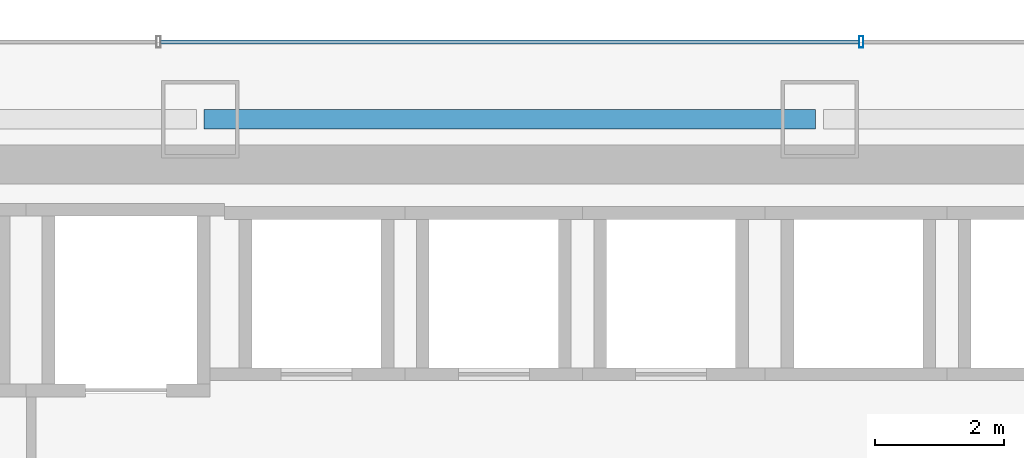
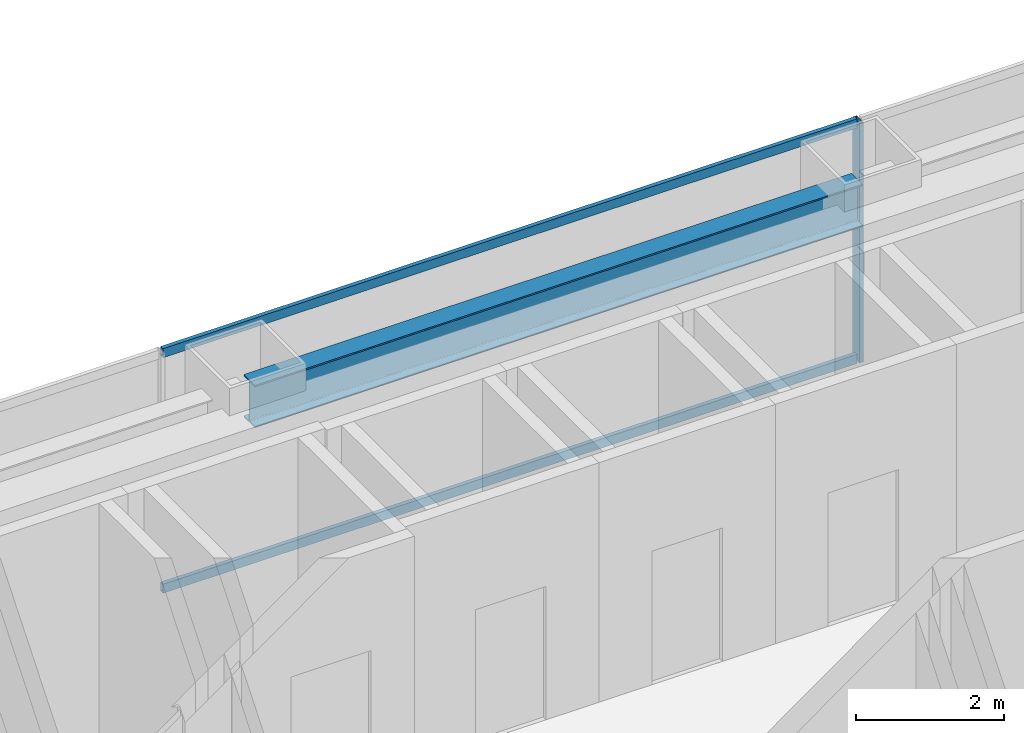
# One storey, part 28 of 47: 3 members, 1 beam, 1 element without a shape of its own.
"""IFC4 building model written with IfcOpenShell, lengths in metres."""

from ifc_helpers import new_model, si_unit, direction, frame, origin, origin_2d, place, context, subcontext, project, spatial, hollow_rectangle, i_section, extrude, material, material_profile, profile_set, type_object, element, aggregate, save


model = new_model("IFC4")

# Units and contexts
model_context = context("Model", 3, precision=1e-05, world=origin(), true_north=direction((0.0, 1.0)))
body_context = subcontext(model_context, "Body", "Model", "MODEL_VIEW")
ifc_project = project(units=[si_unit("LENGTHUNIT", "METRE"), si_unit("AREAUNIT", "SQUARE_METRE"), si_unit("VOLUMEUNIT", "CUBIC_METRE"), si_unit("PLANEANGLEUNIT", "RADIAN"), si_unit("MASSUNIT", "GRAM", prefix="KILO")], contexts=[model_context])

# Site, building, storey
site_placement = place(None, origin())
site = spatial("IfcSite", under=ifc_project, at=site_placement, CompositionType="ELEMENT")
building_placement = place(site_placement, origin())
building = spatial("IfcBuilding", under=site, at=building_placement, Name="Saevonmaru Cultural Tower", CompositionType="ELEMENT")
storey_placement = place(building_placement, frame((0.0, 0.0, 82.39990234375)))
storey = spatial("IfcBuildingStorey", under=building, at=storey_placement, Name="L17", CompositionType="ELEMENT", Elevation=82.39990234375)

# Beam
ifc_material_1 = material(Name="Steel SM355", Category="steel")
ifc_material_profile_1 = material_profile(ifc_material_1, i_section(OverallWidth=0.300048828125, OverallDepth=0.699951171875, WebThickness=0.012939453125, FlangeThickness=0.02392578125, FilletRadius=0.02587890625, at=origin_2d()), Name="H-700x300x13x24")
ifc_profile_set_1 = profile_set([ifc_material_profile_1], Name="Steel SM355")
beam_type = type_object("IfcBeamType", Name="BM-SP-H700", PredefinedType="SPANDREL", material=ifc_profile_set_1)
beam_placement = place(storey_placement, frame((25.260009765625, 54.800048828125, 3.60009765625), z_axis=(1.0, 0.0, 0.0), x_axis=(0.0, 1.0, 0.0)))
element("IfcBeam", 1, at=beam_placement, inside=storey, type_object=beam_type, Name="L17 North Spine Girder 3", PredefinedType="SPANDREL", context=body_context, shape_type="SweptSolid", body=[
    extrude(i_section(OverallWidth=0.300048828125, OverallDepth=0.699951171875, WebThickness=0.012939453125, FlangeThickness=0.02392578125, FilletRadius=0.02587890625, at=origin_2d()), origin(), (0.0, 0.0, 1.0), 9.47998046875),
])

# Curtain wall, members
ifc_material_2 = material(Name="Satin Bronze Anodised Aluminium", Category="aluminium")
curtain_wall_type = type_object("IfcCurtainWallType", Name="CW-TYP-A", PredefinedType="NOTDEFINED", material=ifc_material_2)
curtain_wall_placement = place(storey_placement, origin())
curtain_wall = element("IfcCurtainWall", 2, at=curtain_wall_placement, inside=storey, type_object=curtain_wall_type, Name="L17 North Spine Unitised Curtain Wall E10B", PredefinedType="NOTDEFINED")
ifc_material_profile_2 = material_profile(ifc_material_2, hollow_rectangle(XDim=0.06494140625, YDim=0.179931640625, WallThickness=0.00390625, at=origin_2d()), Name="ALU-MULL-180x65x4")
ifc_profile_set_2 = profile_set([ifc_material_profile_2], Name="Satin Bronze Anodised Aluminium")
member_type_1 = type_object("IfcMemberType", Name="ML-CW-180x65", PredefinedType="MULLION", material=ifc_profile_set_2)
member_1_placement = place(storey_placement, frame((35.44677734375, 56.0, 0.0), z_axis=(0.0, 0.0, 1.0), x_axis=(-1.0, 0.0, 0.0)))
member_1 = element("IfcMember", 3, at=member_1_placement, type_object=member_type_1, Name="CW-TW-L17-E10B mullion 2", PredefinedType="MULLION", context=body_context, shape_type="SweptSolid", body=[
    extrude(hollow_rectangle(XDim=0.06494140625, YDim=0.179931640625, WallThickness=0.00390625, at=origin_2d()), origin(), (0.0, 0.0, 1.0), 3.9501953125),
])
ifc_material_profile_3 = material_profile(ifc_material_2, hollow_rectangle(XDim=0.06494140625, YDim=0.14990234375, WallThickness=0.00390625, at=origin_2d()), Name="ALU-TRAN-150x65x4")
ifc_profile_set_3 = profile_set([ifc_material_profile_3], Name="Satin Bronze Anodised Aluminium")
member_type_2 = type_object("IfcMemberType", Name="TR-CW-150x65", PredefinedType="USERDEFINED", material=ifc_profile_set_3)
member_2_placement = place(storey_placement, frame((35.4140625, 56.0, 0.03271484375), z_axis=(-1.0, 0.0, 0.0), x_axis=(0.0, -1.0, 0.0)))
member_2 = element("IfcMember", 4, at=member_2_placement, type_object=member_type_2, Name="CW-TW-L17-E10B transom 2.1", ObjectType="TRANSOM", PredefinedType="USERDEFINED", context=body_context, shape_type="SweptSolid", body=[
    extrude(hollow_rectangle(XDim=0.06494140625, YDim=0.14990234375, WallThickness=0.00390625, at=origin_2d()), origin(), (0.0, 0.0, 1.0), 10.828125),
])
member_3_placement = place(storey_placement, frame((35.4140625, 56.0, 3.91748046875), z_axis=(-1.0, 0.0, 0.0), x_axis=(0.0, -1.0, 0.0)))
member_3 = element("IfcMember", 5, at=member_3_placement, type_object=member_type_2, Name="CW-TW-L17-E10B transom 2.2", ObjectType="TRANSOM", PredefinedType="USERDEFINED", context=body_context, shape_type="SweptSolid", body=[
    extrude(hollow_rectangle(XDim=0.06494140625, YDim=0.14990234375, WallThickness=0.00390625, at=origin_2d()), origin(), (0.0, 0.0, 1.0), 10.828125),
])
aggregate(curtain_wall, [member_1, member_2, member_3])

save(model, "model.ifc")
